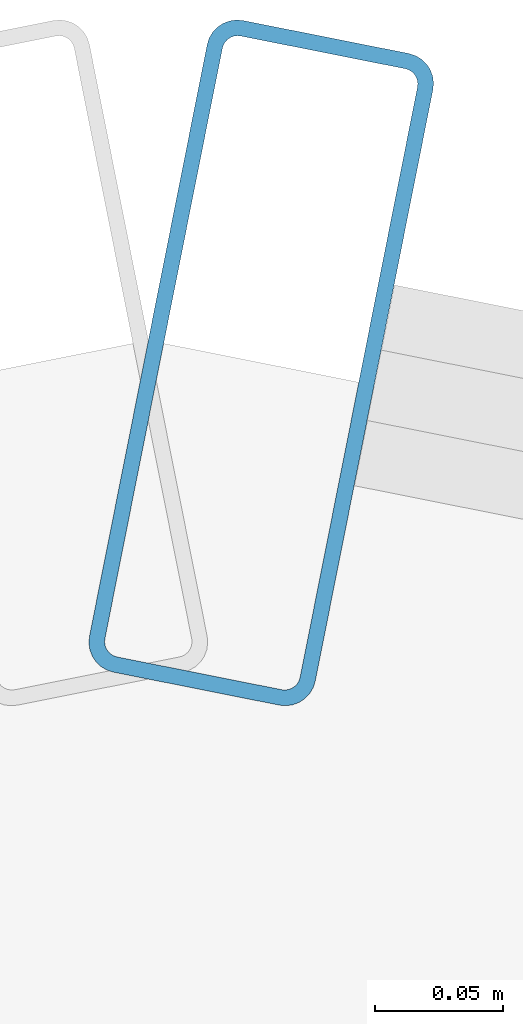
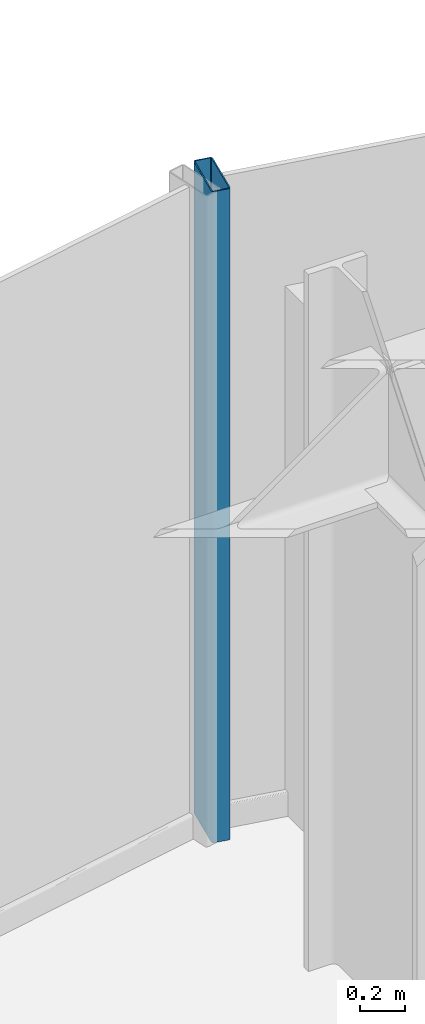
# One storey, part 15 of 26: 1 member, 1 element without a shape of its own.
"""IFC4 building model written with IfcOpenShell, lengths in metres."""

from ifc_helpers import new_model, si_unit, direction, frame, origin, origin_2d, place, context, subcontext, project, spatial, hollow_rectangle, extrude, source, transform, mapped, material, layer, layer_set, material_profile, profile_set, type_object, element, aggregate, save


model = new_model("IFC4")

# Units and contexts
model_context = context("Model", 3, precision=1e-05, world=origin(), true_north=direction((0.0, 1.0)))
body_context = subcontext(model_context, "Body", "Model", "MODEL_VIEW")
ifc_project = project(units=[si_unit("LENGTHUNIT", "METRE"), si_unit("AREAUNIT", "SQUARE_METRE"), si_unit("VOLUMEUNIT", "CUBIC_METRE"), si_unit("PLANEANGLEUNIT", "RADIAN"), si_unit("MASSUNIT", "GRAM", prefix="KILO")], contexts=[model_context])

# Site, building, storey
site_placement = place(None, origin())
site = spatial("IfcSite", under=ifc_project, at=site_placement, CompositionType="ELEMENT")
building_placement = place(site_placement, origin())
building = spatial("IfcBuilding", under=site, at=building_placement, Name="Nefas-Gora Pilgrimage Tower", CompositionType="ELEMENT")
storey_placement = place(building_placement, frame((0.0, 0.0, 117.39990234375)))
storey = spatial("IfcBuildingStorey", under=building, at=storey_placement, Name="L28", CompositionType="ELEMENT", Elevation=117.39990234375)

# Curtain wall, member
ifc_material_1 = material(Name="Dark ceramic-fritted solar-control aluminium-glass curtain wall", Category="aluminium")
ifc_layer = layer(ifc_material_1, 0.219970703125)
ifc_layer_set = layer_set([ifc_layer], Name="Dark ceramic-fritted solar-control aluminium-glass curtain wall")
curtain_wall_type = type_object("IfcCurtainWallType", Name="CW-SYS-5", PredefinedType="NOTDEFINED", material=ifc_layer_set)
curtain_wall_placement = place(storey_placement, origin())
curtain_wall = element("IfcCurtainWall", 1, at=curtain_wall_placement, inside=storey, type_object=curtain_wall_type, Name="L28 Unitised Curtain Wall CW5", PredefinedType="NOTDEFINED")
ifc_material_2 = material(Name="Anodised architectural aluminium", Category="aluminium")
ifc_material_profile = material_profile(ifc_material_2, hollow_rectangle(XDim=0.090087890625, YDim=0.260009765625, WallThickness=0.006103515625, InnerFilletRadius=0.006103515625, OuterFilletRadius=0.011962890625, at=origin_2d()), Name="ALU MULLION 90x260")
ifc_profile_set = profile_set([ifc_material_profile], Name="Anodised architectural aluminium")
member_type = type_object("IfcMemberType", Name="CWM-MUL-5", PredefinedType="MULLION", material=ifc_profile_set)
shared_shape = source(origin(), body_context, "Body", "SweptSolid", [
    extrude(hollow_rectangle(XDim=0.090087890625, YDim=0.260009765625, WallThickness=0.006103515625, InnerFilletRadius=0.006103515625, OuterFilletRadius=0.011962890625, at=origin_2d()), origin(), (0.0, 0.0, 1.0), 3.550048828125),
])
member_placement = place(storey_placement, frame((-2.205810546875, 24.16357421875, 0.0), z_axis=(0.0, 0.0, 1.0), x_axis=(-0.980782896852, 0.195102304554, 0.0)))
member = element("IfcMember", 2, at=member_placement, type_object=member_type, Name="CW5 Mullion 2", PredefinedType="MULLION", context=body_context, shape_type="MappedRepresentation", body=[
    mapped(shared_shape, transform((0.0, 0.0, 0.0), x_axis=(1.0, 0.0, 0.0), y_axis=(0.0, 1.0, 0.0), z_axis=(0.0, 0.0, 1.0), scale=1.0)),
])
aggregate(curtain_wall, [member])

save(model, "model.ifc")
